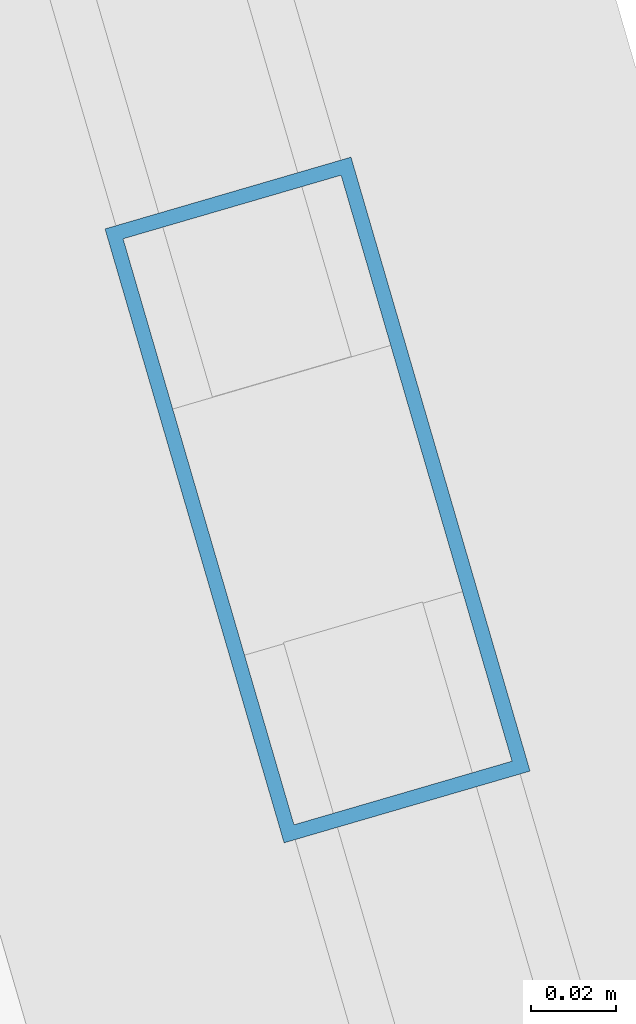
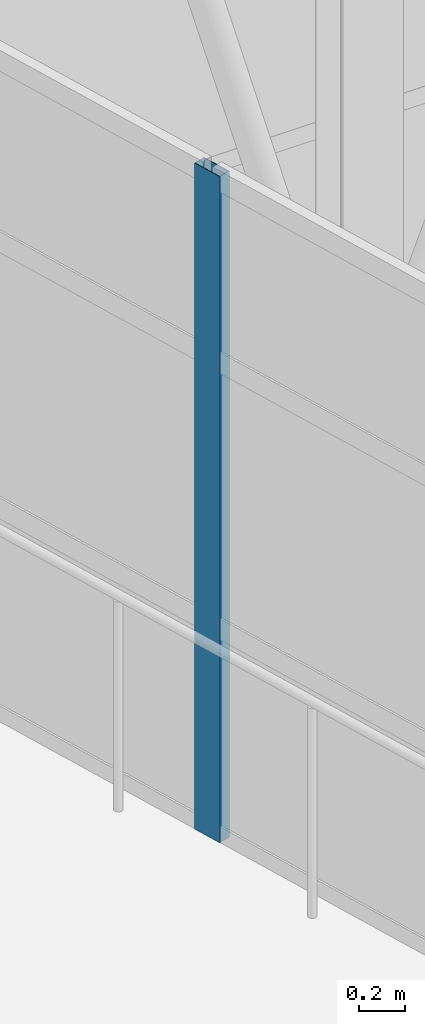
# One storey, part 80 of 248: 1 member, 1 element without a shape of its own.
"""IFC4 building model written with IfcOpenShell, lengths in metres."""

from ifc_helpers import new_model, si_unit, direction, frame, origin, origin_2d, place, context, subcontext, project, spatial, hollow_rectangle, extrude, material, layer, layer_set, material_profile, profile_set, type_object, element, aggregate, save


model = new_model("IFC4")

# Units and contexts
model_context = context("Model", 3, precision=1e-05, world=origin(), true_north=direction((0.0, 1.0)))
body_context = subcontext(model_context, "Body", "Model", "MODEL_VIEW")
ifc_project = project(units=[si_unit("LENGTHUNIT", "METRE"), si_unit("AREAUNIT", "SQUARE_METRE"), si_unit("VOLUMEUNIT", "CUBIC_METRE"), si_unit("PLANEANGLEUNIT", "RADIAN"), si_unit("MASSUNIT", "GRAM", prefix="KILO")], contexts=[model_context])

# Site, building, storey
site_placement = place(None, origin())
site = spatial("IfcSite", under=ifc_project, at=site_placement, CompositionType="ELEMENT")
building_placement = place(site_placement, origin())
building = spatial("IfcBuilding", under=site, at=building_placement, Name="Canggui Botanical Conservatory", CompositionType="ELEMENT")
storey_placement = place(building_placement, frame((0.0, 0.0, 5.39990234375)))
storey = spatial("IfcBuildingStorey", under=building, at=storey_placement, Name="L02", CompositionType="ELEMENT", Elevation=5.39990234375)

# Curtain wall, member
ifc_material = material(Name="Thermally Broken Aluminium", Category="aluminium")
ifc_layer = layer(ifc_material, 0.14990234375, Name="Thermally Broken Aluminium", Category="aluminium")
ifc_layer_set = layer_set([ifc_layer], Name="Thermally Broken Aluminium")
curtain_wall_type = type_object("IfcCurtainWallType", Name="CW-UNIT-C", PredefinedType="USERDEFINED", material=ifc_layer_set)
curtain_wall_placement = place(storey_placement, origin())
curtain_wall = element("IfcCurtainWall", 1, at=curtain_wall_placement, inside=storey, type_object=curtain_wall_type, Name="Facade Curtain Wall CW-CONS-GABLE-L02-N-03", ObjectType="UNITISED CURTAIN WALL", PredefinedType="USERDEFINED")
ifc_material_profile = material_profile(ifc_material, hollow_rectangle(XDim=0.06005859375, YDim=0.14990234375, WallThickness=0.00341796875, at=origin_2d()), Name="CWM 60x150x3.5")
ifc_profile_set = profile_set([ifc_material_profile], Name="Thermally Broken Aluminium")
member_type = type_object("IfcMemberType", Name="CWM-03", PredefinedType="MULLION", material=ifc_profile_set)
member_placement = place(storey_placement, frame((67.38330078125, 72.39990234375, 0.0), z_axis=(0.0, 0.0, 1.0), x_axis=(-0.960000000002, -0.279999999995, 0.0)))
member = element("IfcMember", 2, at=member_placement, type_object=member_type, Name="CW-03 mullion 3", PredefinedType="MULLION", context=body_context, shape_type="SweptSolid", body=[
    extrude(hollow_rectangle(XDim=0.06005859375, YDim=0.14990234375, WallThickness=0.00341796875, at=origin_2d()), origin(), (0.0, 0.0, 1.0), 3.5),
])
aggregate(curtain_wall, [member])

save(model, "model.ifc")
